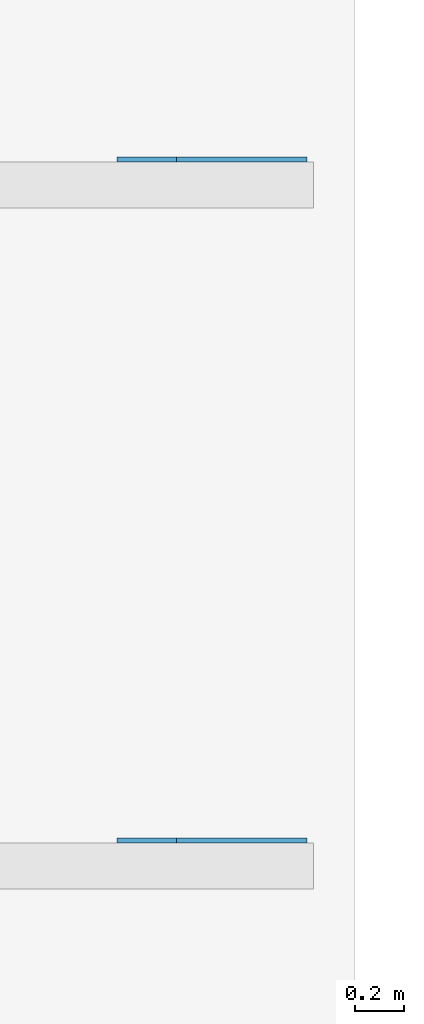
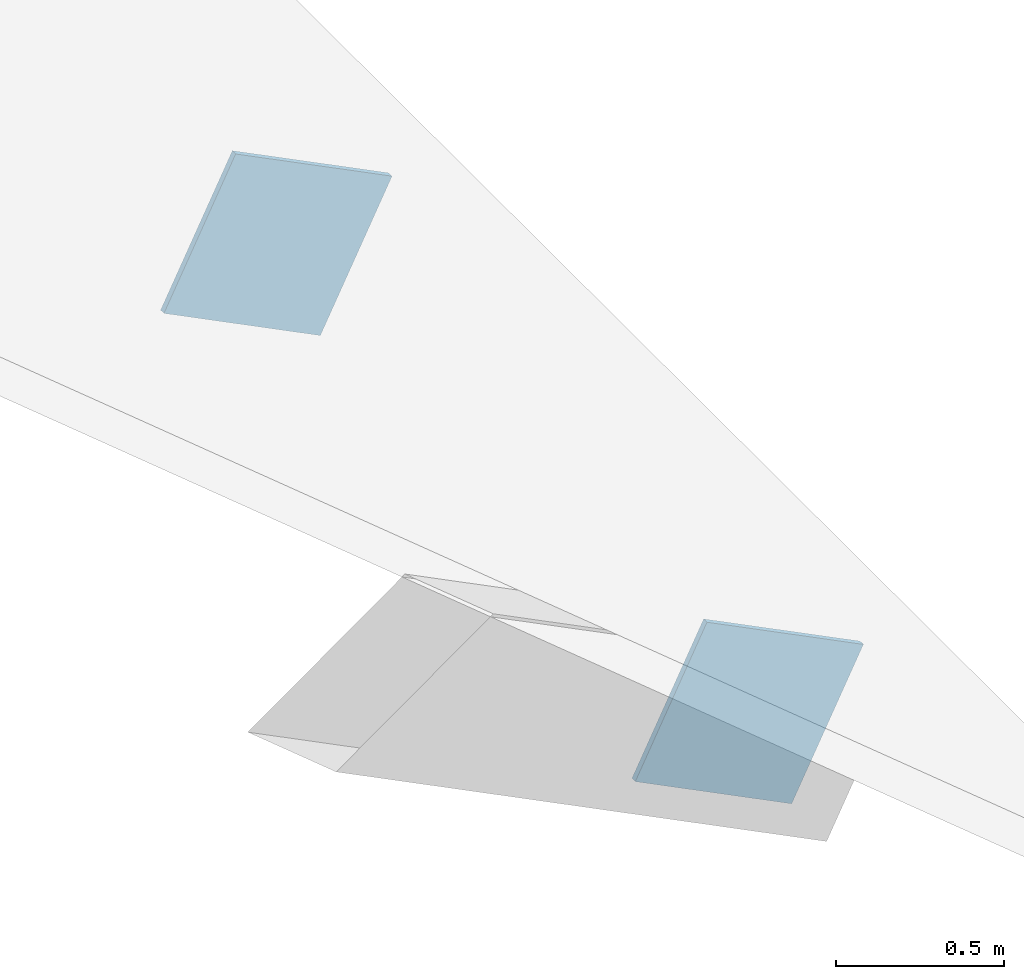
# One storey, part 67 of 103: 2 discrete accessories.
"""IFC4 building model written with IfcOpenShell, lengths in metres."""

from ifc_helpers import new_model, si_unit, direction, frame, origin, origin_2d, place, context, subcontext, project, spatial, rectangle, extrude, material, material_profile, profile_set, type_object, element, save


model = new_model("IFC4")

# Units and contexts
model_context = context("Model", 3, precision=1e-05, world=origin(), true_north=direction((0.0, 1.0)))
body_context = subcontext(model_context, "Body", "Model", "MODEL_VIEW")
ifc_project = project(units=[si_unit("LENGTHUNIT", "METRE"), si_unit("AREAUNIT", "SQUARE_METRE"), si_unit("VOLUMEUNIT", "CUBIC_METRE"), si_unit("PLANEANGLEUNIT", "RADIAN"), si_unit("MASSUNIT", "GRAM", prefix="KILO")], contexts=[model_context])

# Site, building, storey
site_placement = place(None, origin())
site = spatial("IfcSite", under=ifc_project, at=site_placement, CompositionType="ELEMENT")
building_placement = place(site_placement, origin())
building = spatial("IfcBuilding", under=site, at=building_placement, Name="Larchfold Concert Hall", CompositionType="ELEMENT")
storey_placement = place(building_placement, frame((0.0, 0.0, 9.60009765625)))
storey = spatial("IfcBuildingStorey", under=building, at=storey_placement, Name="L02", CompositionType="ELEMENT", Elevation=9.60009765625)

# Discrete accessories
ifc_material = material(Name="Steel S355 galvanised bracket", Category="steel")
ifc_material_profile = material_profile(ifc_material, rectangle(XDim=0.02001953125, YDim=0.550048828125, at=origin_2d()))
ifc_profile_set = profile_set([ifc_material_profile], Name="Steel S355 galvanised bracket")
discrete_accessory_type = type_object("IfcDiscreteAccessoryType", Name="Gusset plate 20x550", PredefinedType="BRACKET", material=ifc_profile_set)
for number, where, z_axis, x_axis, name in (
    (1, (100.545654296875, 112.705078125, 0.000244140625), (0.894427191, 0.0, -0.4472135955), (0.0, 1.0, 0.0), "Gusset plate GP0799"),
    (2, (100.545654296875, 115.5048828125, 0.000244140625), (0.894427191, 0.0, -0.4472135955), (0.0, 1.0, 0.0), "Gusset plate GP0801"),
):
    element("IfcDiscreteAccessory", number, at=place(storey_placement, frame(where, z_axis=z_axis, x_axis=x_axis)), inside=storey, type_object=discrete_accessory_type, Name=name, PredefinedType="BRACKET", context=body_context, shape_type="SweptSolid", body=[
        extrude(rectangle(XDim=0.02001953125, YDim=0.550048828125, at=origin_2d()), origin(), (0.0, 0.0, 1.0), 0.599853515625),
    ])

save(model, "model.ifc")
